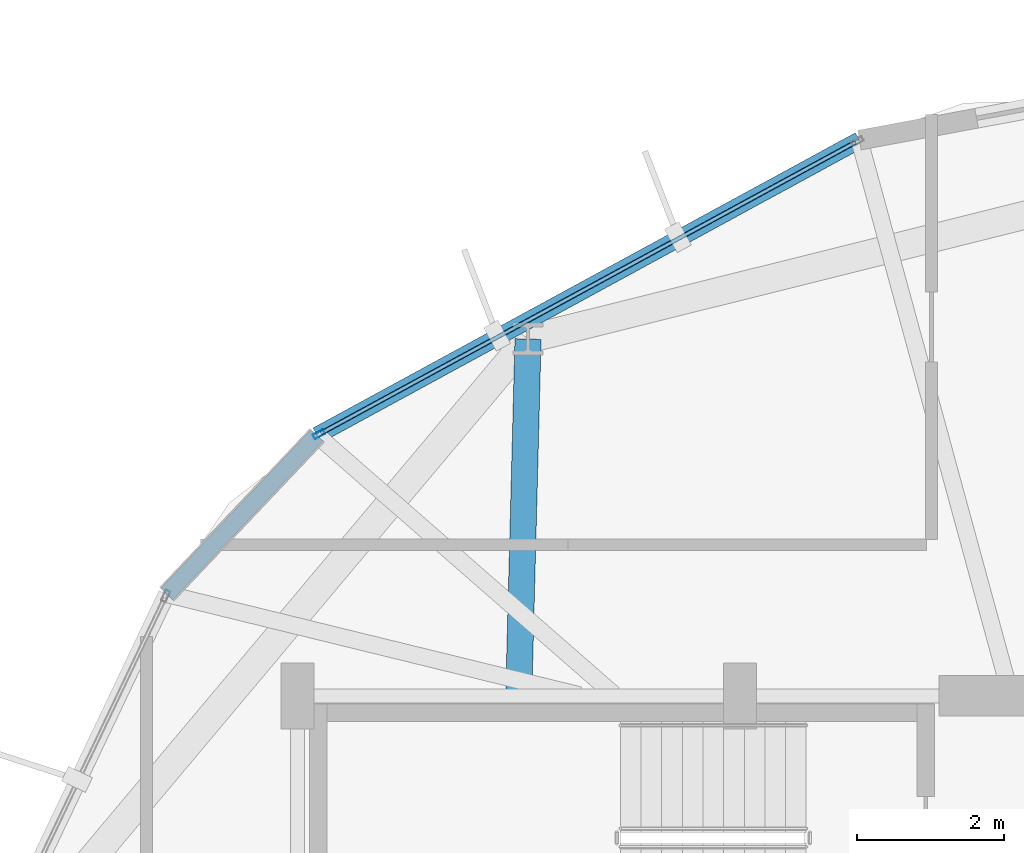
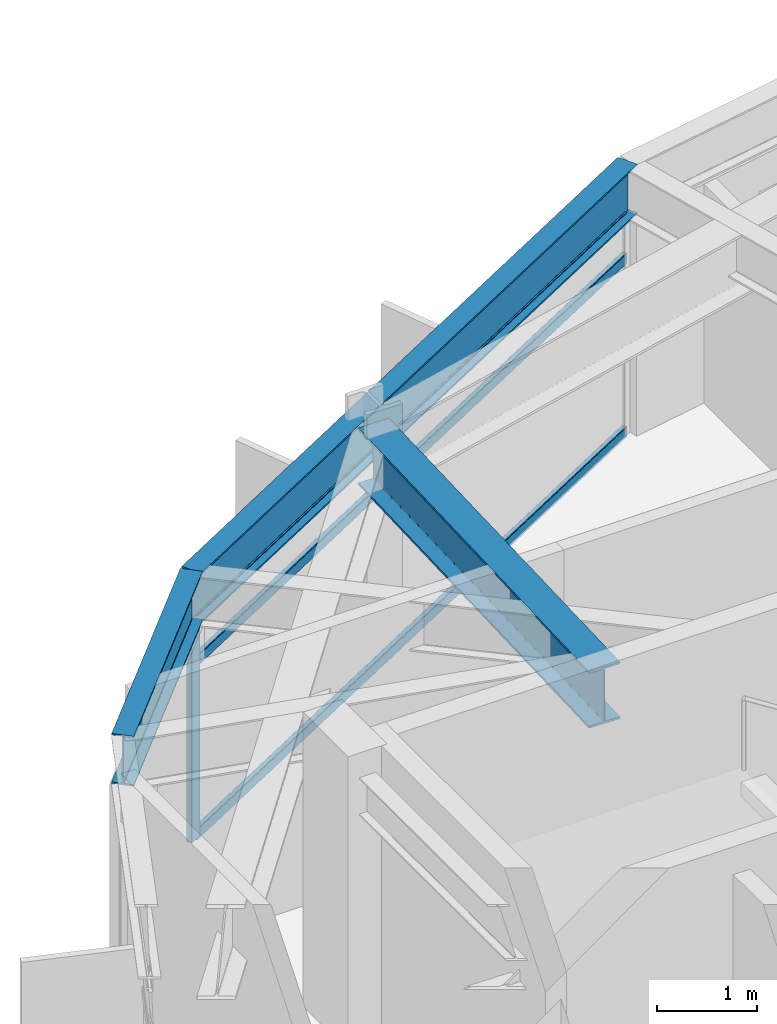
# One storey, part 13 of 23: 4 members, 3 beams, 1 element without a shape of its own.
"""IFC4 building model written with IfcOpenShell, lengths in metres."""

from ifc_helpers import new_model, si_unit, direction, frame, origin, origin_2d, place, context, subcontext, project, spatial, hollow_rectangle, i_section, extrude, material, layer, layer_set, material_profile, profile_set, type_object, element, aggregate, save


model = new_model("IFC4")

# Units and contexts
model_context = context("Model", 3, precision=1e-05, world=origin(), true_north=direction((0.0, 1.0)))
body_context = subcontext(model_context, "Body", "Model", "MODEL_VIEW")
ifc_project = project(units=[si_unit("LENGTHUNIT", "METRE"), si_unit("AREAUNIT", "SQUARE_METRE"), si_unit("VOLUMEUNIT", "CUBIC_METRE"), si_unit("PLANEANGLEUNIT", "RADIAN"), si_unit("MASSUNIT", "GRAM", prefix="KILO")], contexts=[model_context])

# Site, building, storey
site_placement = place(None, origin())
site = spatial("IfcSite", under=ifc_project, at=site_placement, CompositionType="ELEMENT")
building_placement = place(site_placement, origin())
building = spatial("IfcBuilding", under=site, at=building_placement, Name="Soratama Intermodal Tower", CompositionType="ELEMENT")
storey_placement = place(building_placement, frame((0.0, 0.0, 139.0)))
storey = spatial("IfcBuildingStorey", under=building, at=storey_placement, Name="L33", CompositionType="ELEMENT", Elevation=139.0)

# Beams
ifc_material_1 = material(Name="Structural steel ASTM A992 Grade 50", Category="steel")
ifc_material_profile_1 = material_profile(ifc_material_1, i_section(OverallWidth=0.35498046875, OverallDepth=0.695068359375, WebThickness=0.015380859375, FlangeThickness=0.02490234375, FilletRadius=0.01611328125, at=origin_2d()), Name="W27X146")
ifc_profile_set_1 = profile_set([ifc_material_profile_1], Name="Structural steel ASTM A992 Grade 50")
beam_type_1 = type_object("IfcBeamType", Name="BM-RING-W27X146", PredefinedType="BEAM", material=ifc_profile_set_1)
beam_1_placement = place(storey_placement, frame((35.60009765625, 35.0, 2.952392578125), z_axis=(0.026013685955, 0.99966158681, 0.0), x_axis=(-0.99966158681, 0.026013685955, 0.0)))
element("IfcBeam", 1, at=beam_1_placement, inside=storey, type_object=beam_type_1, Name="BM-L33-RAD-04", PredefinedType="BEAM", context=body_context, shape_type="SweptSolid", body=[
    extrude(i_section(OverallWidth=0.35498046875, OverallDepth=0.695068359375, WebThickness=0.015380859375, FlangeThickness=0.02490234375, FilletRadius=0.01611328125, at=origin_2d()), origin(), (0.0, 0.0, 1.0), 4.8427734375),
])
ifc_material_2 = material(Name="Structural steel ASTM A992 Grade 50", Category="steel")
ifc_material_profile_2 = material_profile(ifc_material_2, i_section(OverallWidth=0.22900390625, OverallDepth=0.612060546875, WebThickness=0.011962890625, FlangeThickness=0.01953125, FilletRadius=0.012939453125, at=origin_2d()), Name="W24X84")
ifc_profile_set_2 = profile_set([ifc_material_profile_2], Name="Structural steel ASTM A992 Grade 50")
beam_type_2 = type_object("IfcBeamType", Name="BM-SPN-W24X84", PredefinedType="SPANDREL", material=ifc_profile_set_2)
beam_2_placement = place(storey_placement, frame((40.220947265625, 42.5390625, 2.993896484375), z_axis=(-0.878332976613, -0.478049351212, 0.0), x_axis=(0.478049351212, -0.878332976613, 0.0)))
element("IfcBeam", 2, at=beam_2_placement, inside=storey, type_object=beam_type_2, Name="BS-L33-F03", PredefinedType="SPANDREL", context=body_context, shape_type="SweptSolid", body=[
    extrude(i_section(OverallWidth=0.22900390625, OverallDepth=0.612060546875, WebThickness=0.011962890625, FlangeThickness=0.01953125, FilletRadius=0.012939453125, at=origin_2d()), origin(), (0.0, 0.0, 1.0), 8.3759765625),
])
beam_3_placement = place(storey_placement, frame((32.864013671875, 38.534912109375, 2.993896484375), z_axis=(-0.687498022612, -0.72618624946, 0.0), x_axis=(0.72618624946, -0.687498022612, 0.0)))
element("IfcBeam", 3, at=beam_3_placement, inside=storey, type_object=beam_type_2, Name="BS-L33-CRN03", PredefinedType="SPANDREL", context=body_context, shape_type="SweptSolid", body=[
    extrude(i_section(OverallWidth=0.22900390625, OverallDepth=0.612060546875, WebThickness=0.011962890625, FlangeThickness=0.01953125, FilletRadius=0.012939453125, at=origin_2d()), origin(), (0.0, 0.0, 1.0), 2.9658203125),
])

# Curtain wall, members
ifc_material_3 = material(Name="Double-glazed aluminium curtain wall", Category="aluminium")
ifc_layer = layer(ifc_material_3, 0.159912109375)
ifc_layer_set = layer_set([ifc_layer], Name="Double-glazed aluminium curtain wall")
curtain_wall_type = type_object("IfcCurtainWallType", Name="CW-SYS-4", PredefinedType="NOTDEFINED", material=ifc_layer_set)
curtain_wall_placement = place(storey_placement, origin())
curtain_wall = element("IfcCurtainWall", 4, at=curtain_wall_placement, inside=storey, type_object=curtain_wall_type, Name="L33 Faceted Curtain Wall F03", PredefinedType="NOTDEFINED")
ifc_material_4 = material(Name="Anodised aluminium AA 6063-T6", Category="aluminium")
ifc_material_profile_3 = material_profile(ifc_material_4, hollow_rectangle(XDim=0.070068359375, YDim=0.159912109375, WallThickness=0.0048828125, InnerFilletRadius=0.0048828125, OuterFilletRadius=0.010009765625, at=origin_2d()), Name="CWM160X70X5")
ifc_profile_set_3 = profile_set([ifc_material_profile_3], Name="Anodised aluminium AA 6063-T6")
member_type_1 = type_object("IfcMemberType", Name="MT-CWM-4", PredefinedType="MULLION", material=ifc_profile_set_3)
member_1_placement = place(storey_placement, frame((32.890869140625, 38.54931640625, 0.0), z_axis=(0.0, 0.0, 1.0), x_axis=(0.478083234928, -0.878314533912, 0.0)))
member_1 = element("IfcMember", 5, at=member_1_placement, type_object=member_type_1, Name="CW-4 mullion 2", PredefinedType="MULLION", context=body_context, shape_type="SweptSolid", body=[
    extrude(hollow_rectangle(XDim=0.070068359375, YDim=0.159912109375, WallThickness=0.0048828125, InnerFilletRadius=0.0048828125, OuterFilletRadius=0.010009765625, at=origin_2d()), origin(), (0.0, 0.0, 1.0), 2.678955078125),
])
ifc_material_5 = material(Name="Anodised aluminium AA 6063-T6", Category="aluminium")
ifc_material_profile_4 = material_profile(ifc_material_5, hollow_rectangle(XDim=0.06005859375, YDim=0.1298828125, WallThickness=0.0048828125, InnerFilletRadius=0.0048828125, OuterFilletRadius=0.010009765625, at=origin_2d()), Name="CWT130X60X5")
ifc_profile_set_4 = profile_set([ifc_material_profile_4], Name="Anodised aluminium AA 6063-T6")
member_type_2 = type_object("IfcMemberType", Name="TT-CWT-2", PredefinedType="USERDEFINED", material=ifc_profile_set_4)
member_2_placement = place(storey_placement, frame((40.168701171875, 42.5107421875, 0.030029296875), z_axis=(-0.878306600826, -0.478097808974, 0.0), x_axis=(0.478097808974, -0.878306600826, 0.0)))
member_2 = element("IfcMember", 6, at=member_2_placement, type_object=member_type_2, Name="CW-4 transom 1.1", ObjectType="TRANSOM", PredefinedType="USERDEFINED", context=body_context, shape_type="SweptSolid", body=[
    extrude(hollow_rectangle(XDim=0.06005859375, YDim=0.1298828125, WallThickness=0.0048828125, InnerFilletRadius=0.0048828125, OuterFilletRadius=0.010009765625, at=origin_2d()), origin(), (0.0, 0.0, 1.0), 8.256103515625),
])
member_3_placement = place(storey_placement, frame((40.168701171875, 42.5107421875, 2.14990234375), z_axis=(-0.878306600826, -0.478097808974, 0.0), x_axis=(0.478097808974, -0.878306600826, 0.0)))
member_3 = element("IfcMember", 7, at=member_3_placement, type_object=member_type_2, Name="CW-4 transom 1.2", ObjectType="TRANSOM", PredefinedType="USERDEFINED", context=body_context, shape_type="SweptSolid", body=[
    extrude(hollow_rectangle(XDim=0.06005859375, YDim=0.1298828125, WallThickness=0.0048828125, InnerFilletRadius=0.0048828125, OuterFilletRadius=0.010009765625, at=origin_2d()), origin(), (0.0, 0.0, 1.0), 8.256103515625),
])
member_4_placement = place(storey_placement, frame((40.168701171875, 42.5107421875, 2.64892578125), z_axis=(-0.878306600826, -0.478097808974, 0.0), x_axis=(0.478097808974, -0.878306600826, 0.0)))
member_4 = element("IfcMember", 8, at=member_4_placement, type_object=member_type_2, Name="CW-4 transom 1.3", ObjectType="TRANSOM", PredefinedType="USERDEFINED", context=body_context, shape_type="SweptSolid", body=[
    extrude(hollow_rectangle(XDim=0.06005859375, YDim=0.1298828125, WallThickness=0.0048828125, InnerFilletRadius=0.0048828125, OuterFilletRadius=0.010009765625, at=origin_2d()), origin(), (0.0, 0.0, 1.0), 8.256103515625),
])
aggregate(curtain_wall, [member_1, member_2, member_3, member_4])

save(model, "model.ifc")
